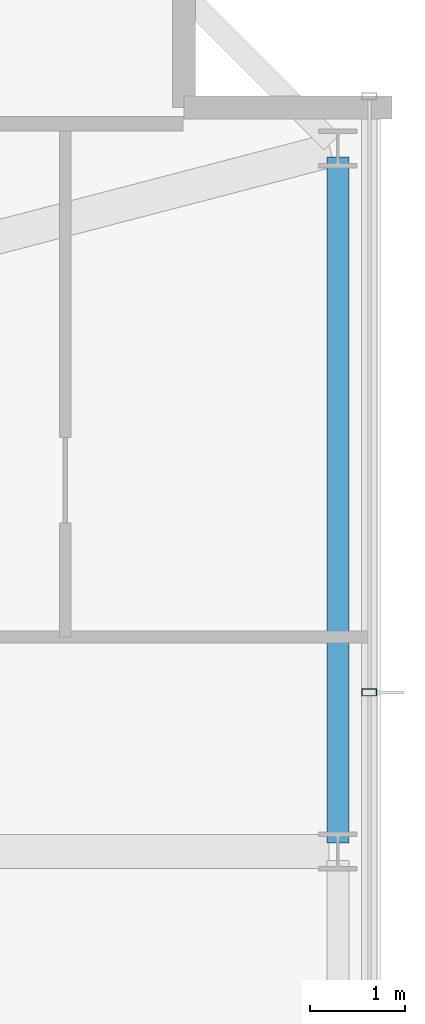
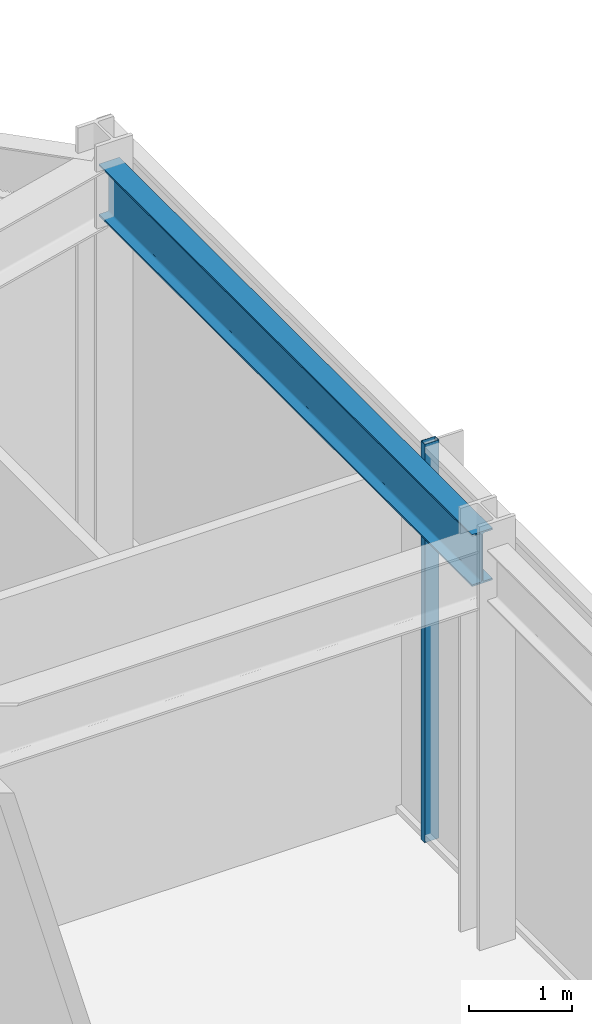
# One storey, part 14 of 31: 1 beam, 1 member, 1 element without a shape of its own.
"""IFC4 building model written with IfcOpenShell, lengths in metres."""

from ifc_helpers import new_model, si_unit, direction, frame, origin, origin_2d, place, context, subcontext, project, spatial, hollow_rectangle, i_section, extrude, material, material_profile, profile_set, type_object, element, aggregate, save


model = new_model("IFC4")

# Units and contexts
model_context = context("Model", 3, precision=1e-05, world=origin(), true_north=direction((0.0, 1.0)))
body_context = subcontext(model_context, "Body", "Model", "MODEL_VIEW")
ifc_project = project(units=[si_unit("LENGTHUNIT", "METRE"), si_unit("AREAUNIT", "SQUARE_METRE"), si_unit("VOLUMEUNIT", "CUBIC_METRE"), si_unit("PLANEANGLEUNIT", "RADIAN"), si_unit("MASSUNIT", "GRAM", prefix="KILO")], contexts=[model_context])

# Site, building, storey
site_placement = place(None, origin())
site = spatial("IfcSite", under=ifc_project, at=site_placement, CompositionType="ELEMENT")
building_placement = place(site_placement, origin())
building = spatial("IfcBuilding", under=site, at=building_placement, Name="Kolvaren Belvedere", CompositionType="ELEMENT")
storey_placement = place(building_placement, frame((0.0, 0.0, 267.39990234375)))
storey = spatial("IfcBuildingStorey", under=building, at=storey_placement, Name="L77", CompositionType="ELEMENT", Elevation=267.39990234375)

# Beam
ifc_material_1 = material(Name="Structural steel ASTM A992 Grade 50", Category="steel")
ifc_material_profile_1 = material_profile(ifc_material_1, i_section(OverallWidth=0.22900390625, OverallDepth=0.612060546875, WebThickness=0.011962890625, FlangeThickness=0.01953125, FilletRadius=0.01806640625, at=origin_2d()), Name="W24X84")
ifc_profile_set_1 = profile_set([ifc_material_profile_1], Name="Structural steel ASTM A992 Grade 50")
beam_type = type_object("IfcBeamType", Name="BM-SPAN-W24X84", PredefinedType="SPANDREL", material=ifc_profile_set_1)
beam_placement = place(storey_placement, frame((17.949951171875, 4.691650390625, 4.39404296875), z_axis=(0.0, 1.0, 0.0), x_axis=(-1.0, 0.0, 0.0)))
element("IfcBeam", 1, at=beam_placement, inside=storey, type_object=beam_type, Name="L77 Perimeter Spandrel E3-E4", PredefinedType="SPANDREL", context=body_context, shape_type="SweptSolid", body=[
    extrude(i_section(OverallWidth=0.22900390625, OverallDepth=0.612060546875, WebThickness=0.011962890625, FlangeThickness=0.01953125, FilletRadius=0.01806640625, at=origin_2d()), origin(), (0.0, 0.0, 1.0), 7.216796875),
])

# Curtain wall, member
ifc_material_2 = material(Name="Anodised pale-metal aluminium AA 6063-T6", Category="aluminium")
curtain_wall_type = type_object("IfcCurtainWallType", Name="CW-CRN-OBS", PredefinedType="NOTDEFINED", material=ifc_material_2)
curtain_wall_placement = place(storey_placement, origin())
curtain_wall = element("IfcCurtainWall", 2, at=curtain_wall_placement, inside=storey, type_object=curtain_wall_type, Name="L77 Unitised Curtain Wall FCW-L77-E", PredefinedType="NOTDEFINED")
ifc_material_3 = material(Name="Anodised pale-metal aluminium AA 6063-T6", Category="aluminium")
ifc_material_profile_2 = material_profile(ifc_material_3, hollow_rectangle(XDim=0.074951171875, YDim=0.159912109375, WallThickness=0.00439453125, at=origin_2d()), Name="ALU-MUL-160X75")
ifc_profile_set_2 = profile_set([ifc_material_profile_2], Name="Anodised pale-metal aluminium AA 6063-T6")
member_type = type_object("IfcMemberType", Name="CW-MUL-160", PredefinedType="MULLION", material=ifc_profile_set_2)
member_placement = place(storey_placement, frame((18.280029296875, 6.27490234375, 0.0), z_axis=(0.0, 0.0, 1.0), x_axis=(0.0, 1.0, 0.0)))
member = element("IfcMember", 3, at=member_placement, type_object=member_type, Name="FCW-L77-E Unitised Mullion 2", PredefinedType="MULLION", context=body_context, shape_type="SweptSolid", body=[
    extrude(hollow_rectangle(XDim=0.074951171875, YDim=0.159912109375, WallThickness=0.00439453125, at=origin_2d()), origin(), (0.0, 0.0, 1.0), 4.7001953125),
])
aggregate(curtain_wall, [member])

save(model, "model.ifc")
